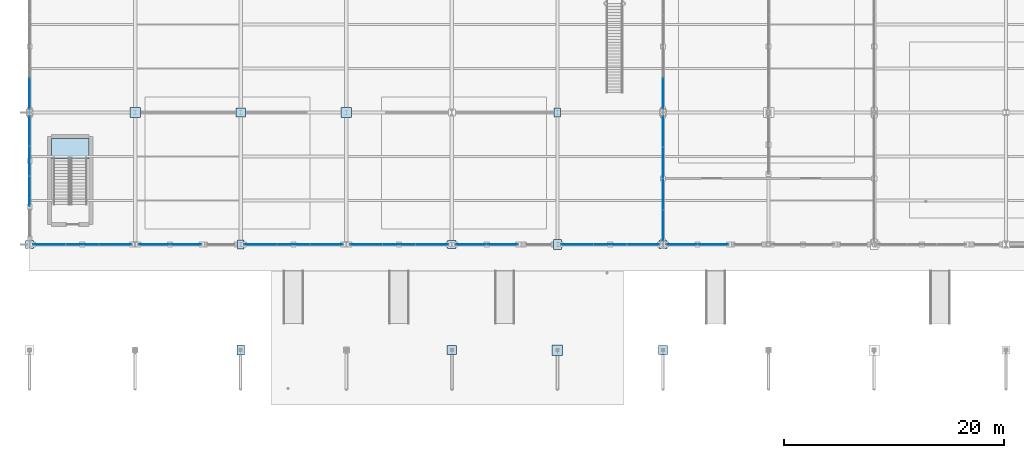
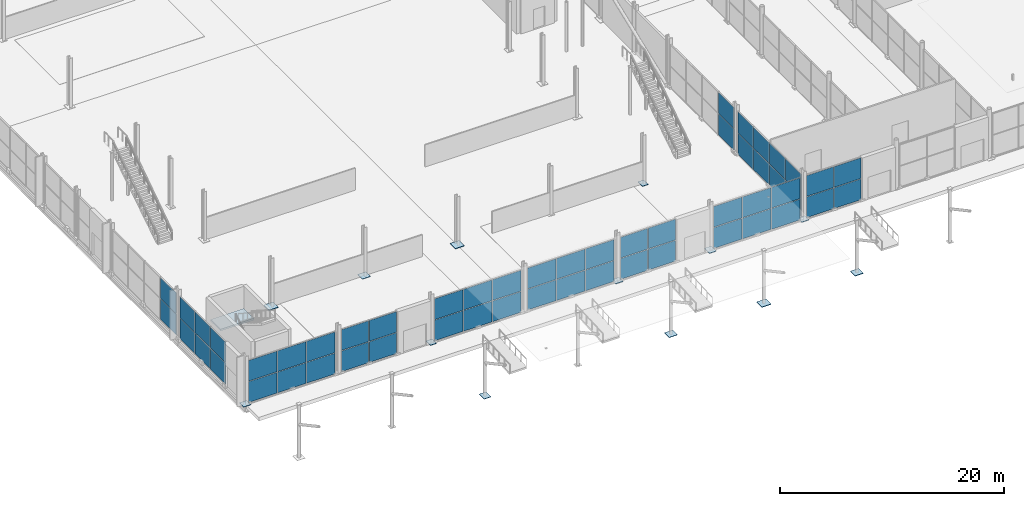
# One storey, part 145 of 196: 67 plates, 1 slab, 12 elements without a shape of their own.
"""IFC4 building model written with IfcOpenShell, lengths in metres."""

from ifc_helpers import new_model, si_unit, direction, frame, origin, origin_2d, place, context, subcontext, project, spatial, polyline, rectangle, outline, extrude, material, layer, layer_set, type_object, element, aggregate, save


model = new_model("IFC4")

# Units and contexts
model_context = context("Model", 3, precision=1e-05, world=origin(), true_north=direction((0.0, 1.0)))
body_context = subcontext(model_context, "Body", "Model", "MODEL_VIEW")
ifc_project = project(units=[si_unit("LENGTHUNIT", "METRE"), si_unit("AREAUNIT", "SQUARE_METRE"), si_unit("VOLUMEUNIT", "CUBIC_METRE"), si_unit("PLANEANGLEUNIT", "RADIAN"), si_unit("MASSUNIT", "GRAM", prefix="KILO")], contexts=[model_context])

# Site, building, storey
site_placement = place(None, origin())
site = spatial("IfcSite", under=ifc_project, at=site_placement, CompositionType="ELEMENT")
building_placement = place(site_placement, origin())
building = spatial("IfcBuilding", under=site, at=building_placement, Name="Merenkruunu Market Hall", CompositionType="ELEMENT")
storey_placement = place(building_placement, origin())
storey = spatial("IfcBuildingStorey", under=building, at=storey_placement, Name="L00", CompositionType="ELEMENT", Elevation=0.0)

# Plates
ifc_material_1 = material(Name="Steel S355ML", Category="steel")
ifc_layer_1 = layer(ifc_material_1, 0.044921875)
ifc_layer_set_1 = layer_set([ifc_layer_1], Name="Steel S355ML")
plate_type_1 = type_object("IfcPlateType", Name="Column Base Plate BP01", PredefinedType="USERDEFINED", material=ifc_layer_set_1)
for number, where, z_axis, x_axis, name in (
    (1, (19.199951171875, 27.60009765625, 0.0), (0.0, 0.0, 1.0), (1.0, 0.0, 0.0), "PLT-BP-C-04"),
    (2, (38.39990234375, 6.0, 0.0), (0.0, 0.0, 1.0), (1.0, 0.0, 0.0), "PLT-BP-E-02"),
    (3, (57.60009765625, 6.0, 0.0), (0.0, 0.0, 1.0), (1.0, 0.0, 0.0), "PLT-BP-G-02"),
):
    element("IfcPlate", number, at=place(storey_placement, frame(where, z_axis=z_axis, x_axis=x_axis)), inside=storey, type_object=plate_type_1, Name=name, ObjectType="BASE_PLATE", PredefinedType="USERDEFINED", context=body_context, shape_type="SweptSolid", body=[
        extrude(rectangle(XDim=0.85009765625, YDim=0.85009765625, at=origin_2d()), origin(), (0.0, 0.0, 1.0), 0.044921875),
    ])
ifc_layer_2 = layer(ifc_material_1, 0.0400390625)
ifc_layer_set_2 = layer_set([ifc_layer_2], Name="Steel S355ML")
plate_type_2 = type_object("IfcPlateType", Name="Column Base Plate BP02", PredefinedType="USERDEFINED", material=ifc_layer_set_2)
for number, where, z_axis, x_axis, name in (
    (4, (0.0, 15.60009765625, 0.0), (0.0, 0.0, 1.0), (1.0, 0.0, 0.0), "PLT-BP-A-03"),
    (5, (38.39990234375, 15.60009765625, 0.0), (0.0, 0.0, 1.0), (1.0, 0.0, 0.0), "PLT-BP-E-03"),
    (6, (57.60009765625, 15.60009765625, 0.0), (0.0, 0.0, 1.0), (1.0, 0.0, 0.0), "PLT-BP-G-03"),
):
    element("IfcPlate", number, at=place(storey_placement, frame(where, z_axis=z_axis, x_axis=x_axis)), inside=storey, type_object=plate_type_2, Name=name, ObjectType="BASE_PLATE", PredefinedType="USERDEFINED", context=body_context, shape_type="SweptSolid", body=[
        extrude(rectangle(XDim=0.75, YDim=0.75, at=origin_2d()), origin(), (0.0, 0.0, 1.0), 0.0400390625),
    ])
ifc_layer_3 = layer(ifc_material_1, 0.050048828125)
ifc_layer_set_3 = layer_set([ifc_layer_3], Name="Steel S355ML")
plate_type_3 = type_object("IfcPlateType", Name="Column Base Plate BP06", PredefinedType="USERDEFINED", material=ifc_layer_set_3)
for number, where, z_axis, x_axis, name in (
    (7, (9.60009765625, 27.60009765625, 0.0), (0.0, 0.0, 1.0), (1.0, 0.0, 0.0), "PLT-BP-B-04"),
    (8, (28.800048828125, 27.60009765625, 0.0), (0.0, 0.0, 1.0), (1.0, 0.0, 0.0), "PLT-BP-D-04"),
    (9, (48.0, 6.0, 0.0), (0.0, 0.0, 1.0), (1.0, 0.0, 0.0), "PLT-BP-F-02"),
):
    element("IfcPlate", number, at=place(storey_placement, frame(where, z_axis=z_axis, x_axis=x_axis)), inside=storey, type_object=plate_type_3, Name=name, ObjectType="BASE_PLATE", PredefinedType="USERDEFINED", context=body_context, shape_type="SweptSolid", body=[
        extrude(rectangle(XDim=0.949951171875, YDim=0.949951171875, at=origin_2d()), origin(), (0.0, 0.0, 1.0), 0.050048828125),
    ])
ifc_layer_4 = layer(ifc_material_1, 0.0419921875)
ifc_layer_set_4 = layer_set([ifc_layer_4], Name="Steel S355ML")
plate_type_4 = type_object("IfcPlateType", Name="Column Base Plate BP07", PredefinedType="USERDEFINED", material=ifc_layer_set_4)
for number, where, z_axis, x_axis, name in (
    (10, (19.199951171875, 6.0, 0.0), (0.0, 0.0, 1.0), (1.0, 0.0, 0.0), "PLT-BP-C-02"),
    (11, (48.0, 15.60009765625, 0.0), (0.0, 0.0, 1.0), (1.0, 0.0, 0.0), "PLT-BP-F-03"),
):
    element("IfcPlate", number, at=place(storey_placement, frame(where, z_axis=z_axis, x_axis=x_axis)), inside=storey, type_object=plate_type_4, Name=name, ObjectType="BASE_PLATE", PredefinedType="USERDEFINED", context=body_context, shape_type="SweptSolid", body=[
        extrude(rectangle(XDim=0.699951171875, YDim=0.89990234375, at=origin_2d()), origin(), (0.0, 0.0, 1.0), 0.0419921875),
    ])
ifc_layer_5 = layer(ifc_material_1, 0.0380859375)
ifc_layer_set_5 = layer_set([ifc_layer_5], Name="Steel S355ML")
plate_type_5 = type_object("IfcPlateType", Name="Column Base Plate BP08", PredefinedType="USERDEFINED", material=ifc_layer_set_5)
for number, where, z_axis, x_axis, name in (
    (12, (19.199951171875, 15.60009765625, 0.0), (0.0, 0.0, 1.0), (1.0, 0.0, 0.0), "PLT-BP-C-03"),
    (13, (48.0, 27.60009765625, 0.0), (0.0, 0.0, 1.0), (1.0, 0.0, 0.0), "PLT-BP-F-04"),
):
    element("IfcPlate", number, at=place(storey_placement, frame(where, z_axis=z_axis, x_axis=x_axis)), inside=storey, type_object=plate_type_5, Name=name, ObjectType="BASE_PLATE", PredefinedType="USERDEFINED", context=body_context, shape_type="SweptSolid", body=[
        extrude(rectangle(XDim=0.60009765625, YDim=0.800048828125, at=origin_2d()), origin(), (0.0, 0.0, 1.0), 0.0380859375),
    ])

# Curtain wall, plates
ifc_material_2 = material(Name="Powder-coated aluminium", Category="aluminium")
curtain_wall_type_1 = type_object("IfcCurtainWallType", Name="Glazed Curtain Wall CW01", PredefinedType="USERDEFINED", material=ifc_material_2)
curtain_wall_1_placement = place(storey_placement, origin())
curtain_wall_1 = element("IfcCurtainWall", 14, at=curtain_wall_1_placement, inside=storey, type_object=curtain_wall_type_1, Name="CW-L00-CWM01-001", ObjectType="GLAZED_FACADE", PredefinedType="USERDEFINED")
ifc_material_3 = material(Name="Triple low-E insulated glass", Category="glass")
ifc_layer_6 = layer(ifc_material_3, 0.035888671875)
ifc_layer_set_6 = layer_set([ifc_layer_6], Name="Triple low-E insulated glass")
plate_type_6 = type_object("IfcPlateType", Name="Curtain Wall Glazing Panel CWP01", PredefinedType="CURTAIN_PANEL", material=ifc_layer_set_6)
plate_1_placement = place(storey_placement, frame((0.0, 20.443359375, 0.06005859375), z_axis=(0.0, 0.0, 1.0), x_axis=(0.0, 1.0, 0.0)))
plate_1 = element("IfcPlate", 15, at=plate_1_placement, type_object=plate_type_6, Name="CW01 panel 1.1", PredefinedType="CURTAIN_PANEL", context=body_context, shape_type="SweptSolid", body=[
    extrude(rectangle(XDim=2.666748046875, YDim=0.035888671875, at=origin_2d()), origin(), (0.0, 0.0, 1.0), 2.260009765625),
])
plate_2_placement = place(storey_placement, frame((0.0, 20.443359375, 2.3798828125), z_axis=(0.0, 0.0, 1.0), x_axis=(0.0, 1.0, 0.0)))
plate_2 = element("IfcPlate", 16, at=plate_2_placement, type_object=plate_type_6, Name="CW01 panel 1.2", PredefinedType="CURTAIN_PANEL", context=body_context, shape_type="SweptSolid", body=[
    extrude(rectangle(XDim=2.666748046875, YDim=0.035888671875, at=origin_2d()), origin(), (0.0, 0.0, 1.0), 2.260009765625),
])
plate_3_placement = place(storey_placement, frame((0.0, 23.18505859375, 0.06005859375), z_axis=(0.0, 0.0, 1.0), x_axis=(0.0, 1.0, 0.0)))
plate_3 = element("IfcPlate", 17, at=plate_3_placement, type_object=plate_type_6, Name="CW01 panel 2.1", PredefinedType="CURTAIN_PANEL", context=body_context, shape_type="SweptSolid", body=[
    extrude(rectangle(XDim=2.69677734375, YDim=0.035888671875, at=origin_2d()), origin(), (0.0, 0.0, 1.0), 2.260009765625),
])
plate_4_placement = place(storey_placement, frame((0.0, 23.18505859375, 2.3798828125), z_axis=(0.0, 0.0, 1.0), x_axis=(0.0, 1.0, 0.0)))
plate_4 = element("IfcPlate", 18, at=plate_4_placement, type_object=plate_type_6, Name="CW01 panel 2.2", PredefinedType="CURTAIN_PANEL", context=body_context, shape_type="SweptSolid", body=[
    extrude(rectangle(XDim=2.69677734375, YDim=0.035888671875, at=origin_2d()), origin(), (0.0, 0.0, 1.0), 2.260009765625),
])
plate_5_placement = place(storey_placement, frame((0.0, 25.9267578125, 0.06005859375), z_axis=(0.0, 0.0, 1.0), x_axis=(0.0, 1.0, 0.0)))
plate_5 = element("IfcPlate", 19, at=plate_5_placement, type_object=plate_type_6, Name="CW01 panel 3.1", PredefinedType="CURTAIN_PANEL", context=body_context, shape_type="SweptSolid", body=[
    extrude(rectangle(XDim=2.666748046875, YDim=0.035888671875, at=origin_2d()), origin(), (0.0, 0.0, 1.0), 2.260009765625),
])
plate_6_placement = place(storey_placement, frame((0.0, 25.9267578125, 2.3798828125), z_axis=(0.0, 0.0, 1.0), x_axis=(0.0, 1.0, 0.0)))
plate_6 = element("IfcPlate", 20, at=plate_6_placement, type_object=plate_type_6, Name="CW01 panel 3.2", PredefinedType="CURTAIN_PANEL", context=body_context, shape_type="SweptSolid", body=[
    extrude(rectangle(XDim=2.666748046875, YDim=0.035888671875, at=origin_2d()), origin(), (0.0, 0.0, 1.0), 2.260009765625),
])
aggregate(curtain_wall_1, [plate_1, plate_2, plate_3, plate_4, plate_5, plate_6])

curtain_wall_type_2 = type_object("IfcCurtainWallType", Name="Glazed Curtain Wall CW04", PredefinedType="USERDEFINED", material=ifc_material_2)
curtain_wall_2_placement = place(storey_placement, origin())
curtain_wall_2 = element("IfcCurtainWall", 21, at=curtain_wall_2_placement, inside=storey, type_object=curtain_wall_type_2, Name="CW-L00-CWM01-004", ObjectType="GLAZED_FACADE", PredefinedType="USERDEFINED")
plate_7_placement = place(storey_placement, frame((0.0, 29.324951171875, 0.06005859375), z_axis=(0.0, 0.0, 1.0), x_axis=(0.0, 1.0, 0.0)))
plate_7 = element("IfcPlate", 22, at=plate_7_placement, type_object=plate_type_6, Name="CW04 panel 1.1", PredefinedType="CURTAIN_PANEL", context=body_context, shape_type="SweptSolid", body=[
    extrude(rectangle(XDim=2.77001953125, YDim=0.035888671875, at=origin_2d()), origin(), (0.0, 0.0, 1.0), 2.260009765625),
])
plate_8_placement = place(storey_placement, frame((0.0, 29.324951171875, 2.3798828125), z_axis=(0.0, 0.0, 1.0), x_axis=(0.0, 1.0, 0.0)))
plate_8 = element("IfcPlate", 23, at=plate_8_placement, type_object=plate_type_6, Name="CW04 panel 1.2", PredefinedType="CURTAIN_PANEL", context=body_context, shape_type="SweptSolid", body=[
    extrude(rectangle(XDim=2.77001953125, YDim=0.035888671875, at=origin_2d()), origin(), (0.0, 0.0, 1.0), 2.260009765625),
])
aggregate(curtain_wall_2, [plate_7, plate_8])

curtain_wall_3_placement = place(storey_placement, origin())
curtain_wall_3 = element("IfcCurtainWall", 24, at=curtain_wall_3_placement, inside=storey, type_object=curtain_wall_type_1, Name="CW-L00-CWM01-019", ObjectType="GLAZED_FACADE", PredefinedType="USERDEFINED")
plate_9_placement = place(storey_placement, frame((7.79833984375, 15.60009765625, 0.06005859375), z_axis=(0.0, 0.0, 1.0), x_axis=(-1.0, 0.0, 0.0)))
plate_9 = element("IfcPlate", 25, at=plate_9_placement, type_object=plate_type_6, Name="CW01 panel 1.1", PredefinedType="CURTAIN_PANEL", context=body_context, shape_type="SweptSolid", body=[
    extrude(rectangle(XDim=2.92333984375, YDim=0.035888671875, at=origin_2d()), origin(), (0.0, 0.0, 1.0), 2.260009765625),
])
plate_10_placement = place(storey_placement, frame((7.79833984375, 15.60009765625, 2.3798828125), z_axis=(0.0, 0.0, 1.0), x_axis=(-1.0, 0.0, 0.0)))
plate_10 = element("IfcPlate", 26, at=plate_10_placement, type_object=plate_type_6, Name="CW01 panel 1.2", PredefinedType="CURTAIN_PANEL", context=body_context, shape_type="SweptSolid", body=[
    extrude(rectangle(XDim=2.92333984375, YDim=0.035888671875, at=origin_2d()), origin(), (0.0, 0.0, 1.0), 2.260009765625),
])
plate_11_placement = place(storey_placement, frame((4.800048828125, 15.60009765625, 0.06005859375), z_axis=(0.0, 0.0, 1.0), x_axis=(-1.0, 0.0, 0.0)))
plate_11 = element("IfcPlate", 27, at=plate_11_placement, type_object=plate_type_6, Name="CW01 panel 2.1", PredefinedType="CURTAIN_PANEL", context=body_context, shape_type="SweptSolid", body=[
    extrude(rectangle(XDim=2.953369140625, YDim=0.035888671875, at=origin_2d()), origin(), (0.0, 0.0, 1.0), 2.260009765625),
])
plate_12_placement = place(storey_placement, frame((4.800048828125, 15.60009765625, 2.3798828125), z_axis=(0.0, 0.0, 1.0), x_axis=(-1.0, 0.0, 0.0)))
plate_12 = element("IfcPlate", 28, at=plate_12_placement, type_object=plate_type_6, Name="CW01 panel 2.2", PredefinedType="CURTAIN_PANEL", context=body_context, shape_type="SweptSolid", body=[
    extrude(rectangle(XDim=2.953369140625, YDim=0.035888671875, at=origin_2d()), origin(), (0.0, 0.0, 1.0), 2.260009765625),
])
plate_13_placement = place(storey_placement, frame((1.8017578125, 15.60009765625, 0.06005859375), z_axis=(0.0, 0.0, 1.0), x_axis=(-1.0, 0.0, 0.0)))
plate_13 = element("IfcPlate", 29, at=plate_13_placement, type_object=plate_type_6, Name="CW01 panel 3.1", PredefinedType="CURTAIN_PANEL", context=body_context, shape_type="SweptSolid", body=[
    extrude(rectangle(XDim=2.92333984375, YDim=0.035888671875, at=origin_2d()), origin(), (0.0, 0.0, 1.0), 2.260009765625),
])
plate_14_placement = place(storey_placement, frame((1.8017578125, 15.60009765625, 2.3798828125), z_axis=(0.0, 0.0, 1.0), x_axis=(-1.0, 0.0, 0.0)))
plate_14 = element("IfcPlate", 30, at=plate_14_placement, type_object=plate_type_6, Name="CW01 panel 3.2", PredefinedType="CURTAIN_PANEL", context=body_context, shape_type="SweptSolid", body=[
    extrude(rectangle(XDim=2.92333984375, YDim=0.035888671875, at=origin_2d()), origin(), (0.0, 0.0, 1.0), 2.260009765625),
])
aggregate(curtain_wall_3, [plate_9, plate_10, plate_11, plate_12, plate_13, plate_14])

curtain_wall_type_3 = type_object("IfcCurtainWallType", Name="Glazed Curtain Wall CW06", PredefinedType="USERDEFINED", material=ifc_material_2)
curtain_wall_4_placement = place(storey_placement, origin())
curtain_wall_4 = element("IfcCurtainWall", 31, at=curtain_wall_4_placement, inside=storey, type_object=curtain_wall_type_3, Name="CW-L00-CWM01-022", ObjectType="GLAZED_FACADE", PredefinedType="USERDEFINED")
plate_15_placement = place(storey_placement, frame((14.1923828125, 15.60009765625, 0.06005859375), z_axis=(0.0, 0.0, 1.0), x_axis=(-1.0, 0.0, 0.0)))
plate_15 = element("IfcPlate", 32, at=plate_15_placement, type_object=plate_type_6, Name="CW06 panel 1.1", PredefinedType="CURTAIN_PANEL", context=body_context, shape_type="SweptSolid", body=[
    extrude(rectangle(XDim=2.794921875, YDim=0.035888671875, at=origin_2d()), origin(), (0.0, 0.0, 1.0), 2.260009765625),
])
plate_16_placement = place(storey_placement, frame((14.1923828125, 15.60009765625, 2.3798828125), z_axis=(0.0, 0.0, 1.0), x_axis=(-1.0, 0.0, 0.0)))
plate_16 = element("IfcPlate", 33, at=plate_16_placement, type_object=plate_type_6, Name="CW06 panel 1.2", PredefinedType="CURTAIN_PANEL", context=body_context, shape_type="SweptSolid", body=[
    extrude(rectangle(XDim=2.794921875, YDim=0.035888671875, at=origin_2d()), origin(), (0.0, 0.0, 1.0), 2.260009765625),
])
plate_17_placement = place(storey_placement, frame((11.33740234375, 15.60009765625, 0.06005859375), z_axis=(0.0, 0.0, 1.0), x_axis=(-1.0, 0.0, 0.0)))
plate_17 = element("IfcPlate", 34, at=plate_17_placement, type_object=plate_type_6, Name="CW06 panel 2.1", PredefinedType="CURTAIN_PANEL", context=body_context, shape_type="SweptSolid", body=[
    extrude(rectangle(XDim=2.794921875, YDim=0.035888671875, at=origin_2d()), origin(), (0.0, 0.0, 1.0), 2.260009765625),
])
plate_18_placement = place(storey_placement, frame((11.33740234375, 15.60009765625, 2.3798828125), z_axis=(0.0, 0.0, 1.0), x_axis=(-1.0, 0.0, 0.0)))
plate_18 = element("IfcPlate", 35, at=plate_18_placement, type_object=plate_type_6, Name="CW06 panel 2.2", PredefinedType="CURTAIN_PANEL", context=body_context, shape_type="SweptSolid", body=[
    extrude(rectangle(XDim=2.794921875, YDim=0.035888671875, at=origin_2d()), origin(), (0.0, 0.0, 1.0), 2.260009765625),
])
aggregate(curtain_wall_4, [plate_15, plate_16, plate_17, plate_18])

curtain_wall_5_placement = place(storey_placement, origin())
curtain_wall_5 = element("IfcCurtainWall", 36, at=curtain_wall_5_placement, inside=storey, type_object=curtain_wall_type_1, Name="CW-L00-CWM01-025", ObjectType="GLAZED_FACADE", PredefinedType="USERDEFINED")
plate_19_placement = place(storey_placement, frame((26.998291015625, 15.60009765625, 0.06005859375), z_axis=(0.0, 0.0, 1.0), x_axis=(-1.0, 0.0, 0.0)))
plate_19 = element("IfcPlate", 37, at=plate_19_placement, type_object=plate_type_6, Name="CW01 panel 1.1", PredefinedType="CURTAIN_PANEL", context=body_context, shape_type="SweptSolid", body=[
    extrude(rectangle(XDim=2.92333984375, YDim=0.035888671875, at=origin_2d()), origin(), (0.0, 0.0, 1.0), 2.260009765625),
])
plate_20_placement = place(storey_placement, frame((26.998291015625, 15.60009765625, 2.3798828125), z_axis=(0.0, 0.0, 1.0), x_axis=(-1.0, 0.0, 0.0)))
plate_20 = element("IfcPlate", 38, at=plate_20_placement, type_object=plate_type_6, Name="CW01 panel 1.2", PredefinedType="CURTAIN_PANEL", context=body_context, shape_type="SweptSolid", body=[
    extrude(rectangle(XDim=2.92333984375, YDim=0.035888671875, at=origin_2d()), origin(), (0.0, 0.0, 1.0), 2.260009765625),
])
plate_21_placement = place(storey_placement, frame((24.0, 15.60009765625, 0.06005859375), z_axis=(0.0, 0.0, 1.0), x_axis=(-1.0, 0.0, 0.0)))
plate_21 = element("IfcPlate", 39, at=plate_21_placement, type_object=plate_type_6, Name="CW01 panel 2.1", PredefinedType="CURTAIN_PANEL", context=body_context, shape_type="SweptSolid", body=[
    extrude(rectangle(XDim=2.953369140625, YDim=0.035888671875, at=origin_2d()), origin(), (0.0, 0.0, 1.0), 2.260009765625),
])
plate_22_placement = place(storey_placement, frame((24.0, 15.60009765625, 2.3798828125), z_axis=(0.0, 0.0, 1.0), x_axis=(-1.0, 0.0, 0.0)))
plate_22 = element("IfcPlate", 40, at=plate_22_placement, type_object=plate_type_6, Name="CW01 panel 2.2", PredefinedType="CURTAIN_PANEL", context=body_context, shape_type="SweptSolid", body=[
    extrude(rectangle(XDim=2.953369140625, YDim=0.035888671875, at=origin_2d()), origin(), (0.0, 0.0, 1.0), 2.260009765625),
])
plate_23_placement = place(storey_placement, frame((21.001708984375, 15.60009765625, 0.06005859375), z_axis=(0.0, 0.0, 1.0), x_axis=(-1.0, 0.0, 0.0)))
plate_23 = element("IfcPlate", 41, at=plate_23_placement, type_object=plate_type_6, Name="CW01 panel 3.1", PredefinedType="CURTAIN_PANEL", context=body_context, shape_type="SweptSolid", body=[
    extrude(rectangle(XDim=2.92333984375, YDim=0.035888671875, at=origin_2d()), origin(), (0.0, 0.0, 1.0), 2.260009765625),
])
plate_24_placement = place(storey_placement, frame((21.001708984375, 15.60009765625, 2.3798828125), z_axis=(0.0, 0.0, 1.0), x_axis=(-1.0, 0.0, 0.0)))
plate_24 = element("IfcPlate", 42, at=plate_24_placement, type_object=plate_type_6, Name="CW01 panel 3.2", PredefinedType="CURTAIN_PANEL", context=body_context, shape_type="SweptSolid", body=[
    extrude(rectangle(XDim=2.92333984375, YDim=0.035888671875, at=origin_2d()), origin(), (0.0, 0.0, 1.0), 2.260009765625),
])
aggregate(curtain_wall_5, [plate_19, plate_20, plate_21, plate_22, plate_23, plate_24])

curtain_wall_6_placement = place(storey_placement, origin())
curtain_wall_6 = element("IfcCurtainWall", 43, at=curtain_wall_6_placement, inside=storey, type_object=curtain_wall_type_1, Name="CW-L00-CWM01-028", ObjectType="GLAZED_FACADE", PredefinedType="USERDEFINED")
plate_25_placement = place(storey_placement, frame((36.598388671875, 15.60009765625, 0.06005859375), z_axis=(0.0, 0.0, 1.0), x_axis=(-1.0, 0.0, 0.0)))
plate_25 = element("IfcPlate", 44, at=plate_25_placement, type_object=plate_type_6, Name="CW01 panel 1.1", PredefinedType="CURTAIN_PANEL", context=body_context, shape_type="SweptSolid", body=[
    extrude(rectangle(XDim=2.92333984375, YDim=0.035888671875, at=origin_2d()), origin(), (0.0, 0.0, 1.0), 2.260009765625),
])
plate_26_placement = place(storey_placement, frame((36.598388671875, 15.60009765625, 2.3798828125), z_axis=(0.0, 0.0, 1.0), x_axis=(-1.0, 0.0, 0.0)))
plate_26 = element("IfcPlate", 45, at=plate_26_placement, type_object=plate_type_6, Name="CW01 panel 1.2", PredefinedType="CURTAIN_PANEL", context=body_context, shape_type="SweptSolid", body=[
    extrude(rectangle(XDim=2.92333984375, YDim=0.035888671875, at=origin_2d()), origin(), (0.0, 0.0, 1.0), 2.260009765625),
])
plate_27_placement = place(storey_placement, frame((33.60009765625, 15.60009765625, 0.06005859375), z_axis=(0.0, 0.0, 1.0), x_axis=(-1.0, 0.0, 0.0)))
plate_27 = element("IfcPlate", 46, at=plate_27_placement, type_object=plate_type_6, Name="CW01 panel 2.1", PredefinedType="CURTAIN_PANEL", context=body_context, shape_type="SweptSolid", body=[
    extrude(rectangle(XDim=2.953369140625, YDim=0.035888671875, at=origin_2d()), origin(), (0.0, 0.0, 1.0), 2.260009765625),
])
plate_28_placement = place(storey_placement, frame((33.60009765625, 15.60009765625, 2.3798828125), z_axis=(0.0, 0.0, 1.0), x_axis=(-1.0, 0.0, 0.0)))
plate_28 = element("IfcPlate", 47, at=plate_28_placement, type_object=plate_type_6, Name="CW01 panel 2.2", PredefinedType="CURTAIN_PANEL", context=body_context, shape_type="SweptSolid", body=[
    extrude(rectangle(XDim=2.953369140625, YDim=0.035888671875, at=origin_2d()), origin(), (0.0, 0.0, 1.0), 2.260009765625),
])
plate_29_placement = place(storey_placement, frame((30.6015625, 15.60009765625, 0.06005859375), z_axis=(0.0, 0.0, 1.0), x_axis=(-1.0, 0.0, 0.0)))
plate_29 = element("IfcPlate", 48, at=plate_29_placement, type_object=plate_type_6, Name="CW01 panel 3.1", PredefinedType="CURTAIN_PANEL", context=body_context, shape_type="SweptSolid", body=[
    extrude(rectangle(XDim=2.92333984375, YDim=0.035888671875, at=origin_2d()), origin(), (0.0, 0.0, 1.0), 2.260009765625),
])
plate_30_placement = place(storey_placement, frame((30.6015625, 15.60009765625, 2.3798828125), z_axis=(0.0, 0.0, 1.0), x_axis=(-1.0, 0.0, 0.0)))
plate_30 = element("IfcPlate", 49, at=plate_30_placement, type_object=plate_type_6, Name="CW01 panel 3.2", PredefinedType="CURTAIN_PANEL", context=body_context, shape_type="SweptSolid", body=[
    extrude(rectangle(XDim=2.92333984375, YDim=0.035888671875, at=origin_2d()), origin(), (0.0, 0.0, 1.0), 2.260009765625),
])
aggregate(curtain_wall_6, [plate_25, plate_26, plate_27, plate_28, plate_29, plate_30])

curtain_wall_7_placement = place(storey_placement, origin())
curtain_wall_7 = element("IfcCurtainWall", 50, at=curtain_wall_7_placement, inside=storey, type_object=curtain_wall_type_3, Name="CW-L00-CWM01-031", ObjectType="GLAZED_FACADE", PredefinedType="USERDEFINED")
plate_31_placement = place(storey_placement, frame((42.992431640625, 15.60009765625, 0.06005859375), z_axis=(0.0, 0.0, 1.0), x_axis=(-1.0, 0.0, 0.0)))
plate_31 = element("IfcPlate", 51, at=plate_31_placement, type_object=plate_type_6, Name="CW06 panel 1.1", PredefinedType="CURTAIN_PANEL", context=body_context, shape_type="SweptSolid", body=[
    extrude(rectangle(XDim=2.794921875, YDim=0.035888671875, at=origin_2d()), origin(), (0.0, 0.0, 1.0), 2.260009765625),
])
plate_32_placement = place(storey_placement, frame((42.992431640625, 15.60009765625, 2.3798828125), z_axis=(0.0, 0.0, 1.0), x_axis=(-1.0, 0.0, 0.0)))
plate_32 = element("IfcPlate", 52, at=plate_32_placement, type_object=plate_type_6, Name="CW06 panel 1.2", PredefinedType="CURTAIN_PANEL", context=body_context, shape_type="SweptSolid", body=[
    extrude(rectangle(XDim=2.794921875, YDim=0.035888671875, at=origin_2d()), origin(), (0.0, 0.0, 1.0), 2.260009765625),
])
plate_33_placement = place(storey_placement, frame((40.137451171875, 15.60009765625, 0.06005859375), z_axis=(0.0, 0.0, 1.0), x_axis=(-1.0, 0.0, 0.0)))
plate_33 = element("IfcPlate", 53, at=plate_33_placement, type_object=plate_type_6, Name="CW06 panel 2.1", PredefinedType="CURTAIN_PANEL", context=body_context, shape_type="SweptSolid", body=[
    extrude(rectangle(XDim=2.794921875, YDim=0.035888671875, at=origin_2d()), origin(), (0.0, 0.0, 1.0), 2.260009765625),
])
plate_34_placement = place(storey_placement, frame((40.137451171875, 15.60009765625, 2.3798828125), z_axis=(0.0, 0.0, 1.0), x_axis=(-1.0, 0.0, 0.0)))
plate_34 = element("IfcPlate", 54, at=plate_34_placement, type_object=plate_type_6, Name="CW06 panel 2.2", PredefinedType="CURTAIN_PANEL", context=body_context, shape_type="SweptSolid", body=[
    extrude(rectangle(XDim=2.794921875, YDim=0.035888671875, at=origin_2d()), origin(), (0.0, 0.0, 1.0), 2.260009765625),
])
aggregate(curtain_wall_7, [plate_31, plate_32, plate_33, plate_34])

curtain_wall_8_placement = place(storey_placement, origin())
curtain_wall_8 = element("IfcCurtainWall", 55, at=curtain_wall_8_placement, inside=storey, type_object=curtain_wall_type_1, Name="CW-L00-CWM01-034", ObjectType="GLAZED_FACADE", PredefinedType="USERDEFINED")
plate_35_placement = place(storey_placement, frame((55.79833984375, 15.60009765625, 0.06005859375), z_axis=(0.0, 0.0, 1.0), x_axis=(-1.0, 0.0, 0.0)))
plate_35 = element("IfcPlate", 56, at=plate_35_placement, type_object=plate_type_6, Name="CW01 panel 1.1", PredefinedType="CURTAIN_PANEL", context=body_context, shape_type="SweptSolid", body=[
    extrude(rectangle(XDim=2.92333984375, YDim=0.035888671875, at=origin_2d()), origin(), (0.0, 0.0, 1.0), 2.260009765625),
])
plate_36_placement = place(storey_placement, frame((55.79833984375, 15.60009765625, 2.3798828125), z_axis=(0.0, 0.0, 1.0), x_axis=(-1.0, 0.0, 0.0)))
plate_36 = element("IfcPlate", 57, at=plate_36_placement, type_object=plate_type_6, Name="CW01 panel 1.2", PredefinedType="CURTAIN_PANEL", context=body_context, shape_type="SweptSolid", body=[
    extrude(rectangle(XDim=2.92333984375, YDim=0.035888671875, at=origin_2d()), origin(), (0.0, 0.0, 1.0), 2.260009765625),
])
plate_37_placement = place(storey_placement, frame((52.800048828125, 15.60009765625, 0.06005859375), z_axis=(0.0, 0.0, 1.0), x_axis=(-1.0, 0.0, 0.0)))
plate_37 = element("IfcPlate", 58, at=plate_37_placement, type_object=plate_type_6, Name="CW01 panel 2.1", PredefinedType="CURTAIN_PANEL", context=body_context, shape_type="SweptSolid", body=[
    extrude(rectangle(XDim=2.953369140625, YDim=0.035888671875, at=origin_2d()), origin(), (0.0, 0.0, 1.0), 2.260009765625),
])
plate_38_placement = place(storey_placement, frame((52.800048828125, 15.60009765625, 2.3798828125), z_axis=(0.0, 0.0, 1.0), x_axis=(-1.0, 0.0, 0.0)))
plate_38 = element("IfcPlate", 59, at=plate_38_placement, type_object=plate_type_6, Name="CW01 panel 2.2", PredefinedType="CURTAIN_PANEL", context=body_context, shape_type="SweptSolid", body=[
    extrude(rectangle(XDim=2.953369140625, YDim=0.035888671875, at=origin_2d()), origin(), (0.0, 0.0, 1.0), 2.260009765625),
])
plate_39_placement = place(storey_placement, frame((49.8017578125, 15.60009765625, 0.06005859375), z_axis=(0.0, 0.0, 1.0), x_axis=(-1.0, 0.0, 0.0)))
plate_39 = element("IfcPlate", 60, at=plate_39_placement, type_object=plate_type_6, Name="CW01 panel 3.1", PredefinedType="CURTAIN_PANEL", context=body_context, shape_type="SweptSolid", body=[
    extrude(rectangle(XDim=2.92333984375, YDim=0.035888671875, at=origin_2d()), origin(), (0.0, 0.0, 1.0), 2.260009765625),
])
plate_40_placement = place(storey_placement, frame((49.8017578125, 15.60009765625, 2.3798828125), z_axis=(0.0, 0.0, 1.0), x_axis=(-1.0, 0.0, 0.0)))
plate_40 = element("IfcPlate", 61, at=plate_40_placement, type_object=plate_type_6, Name="CW01 panel 3.2", PredefinedType="CURTAIN_PANEL", context=body_context, shape_type="SweptSolid", body=[
    extrude(rectangle(XDim=2.92333984375, YDim=0.035888671875, at=origin_2d()), origin(), (0.0, 0.0, 1.0), 2.260009765625),
])
aggregate(curtain_wall_8, [plate_35, plate_36, plate_37, plate_38, plate_39, plate_40])

curtain_wall_9_placement = place(storey_placement, origin())
curtain_wall_9 = element("IfcCurtainWall", 62, at=curtain_wall_9_placement, inside=storey, type_object=curtain_wall_type_3, Name="CW-L00-CWM01-139", ObjectType="GLAZED_FACADE", PredefinedType="USERDEFINED")
plate_41_placement = place(storey_placement, frame((62.155029296875, 15.60009765625, 0.06005859375), z_axis=(0.0, 0.0, 1.0), x_axis=(-1.0, 0.0, 0.0)))
plate_41 = element("IfcPlate", 63, at=plate_41_placement, type_object=plate_type_6, Name="CW06 panel 1.1", PredefinedType="CURTAIN_PANEL", context=body_context, shape_type="SweptSolid", body=[
    extrude(rectangle(XDim=2.77001953125, YDim=0.035888671875, at=origin_2d()), origin(), (0.0, 0.0, 1.0), 2.260009765625),
])
plate_42_placement = place(storey_placement, frame((62.155029296875, 15.60009765625, 2.3798828125), z_axis=(0.0, 0.0, 1.0), x_axis=(-1.0, 0.0, 0.0)))
plate_42 = element("IfcPlate", 64, at=plate_42_placement, type_object=plate_type_6, Name="CW06 panel 1.2", PredefinedType="CURTAIN_PANEL", context=body_context, shape_type="SweptSolid", body=[
    extrude(rectangle(XDim=2.77001953125, YDim=0.035888671875, at=origin_2d()), origin(), (0.0, 0.0, 1.0), 2.260009765625),
])
plate_43_placement = place(storey_placement, frame((59.324951171875, 15.60009765625, 0.06005859375), z_axis=(0.0, 0.0, 1.0), x_axis=(-1.0, 0.0, 0.0)))
plate_43 = element("IfcPlate", 65, at=plate_43_placement, type_object=plate_type_6, Name="CW06 panel 2.1", PredefinedType="CURTAIN_PANEL", context=body_context, shape_type="SweptSolid", body=[
    extrude(rectangle(XDim=2.77001953125, YDim=0.035888671875, at=origin_2d()), origin(), (0.0, 0.0, 1.0), 2.260009765625),
])
plate_44_placement = place(storey_placement, frame((59.324951171875, 15.60009765625, 2.3798828125), z_axis=(0.0, 0.0, 1.0), x_axis=(-1.0, 0.0, 0.0)))
plate_44 = element("IfcPlate", 66, at=plate_44_placement, type_object=plate_type_6, Name="CW06 panel 2.2", PredefinedType="CURTAIN_PANEL", context=body_context, shape_type="SweptSolid", body=[
    extrude(rectangle(XDim=2.77001953125, YDim=0.035888671875, at=origin_2d()), origin(), (0.0, 0.0, 1.0), 2.260009765625),
])
aggregate(curtain_wall_9, [plate_41, plate_42, plate_43, plate_44])

curtain_wall_type_4 = type_object("IfcCurtainWallType", Name="Glazed Curtain Wall CW02", PredefinedType="USERDEFINED", material=ifc_material_2)
curtain_wall_10_placement = place(storey_placement, origin())
curtain_wall_10 = element("IfcCurtainWall", 67, at=curtain_wall_10_placement, inside=storey, type_object=curtain_wall_type_4, Name="CW-L00-CWM01-121", ObjectType="GLAZED_FACADE", PredefinedType="USERDEFINED")
ifc_layer_7 = layer(ifc_material_3, 0.0380859375)
ifc_layer_set_7 = layer_set([ifc_layer_7], Name="Triple low-E insulated glass")
plate_type_7 = type_object("IfcPlateType", Name="Curtain Wall Glazing Panel CWP03", PredefinedType="CURTAIN_PANEL", material=ifc_layer_set_7)
plate_45_placement = place(storey_placement, frame((57.60009765625, 17.324951171875, 0.06005859375), z_axis=(0.0, 0.0, 1.0), x_axis=(0.0, 1.0, 0.0)))
plate_45 = element("IfcPlate", 68, at=plate_45_placement, type_object=plate_type_7, Name="CW02 panel 1.1", PredefinedType="CURTAIN_PANEL", context=body_context, shape_type="SweptSolid", body=[
    extrude(rectangle(XDim=2.77001953125, YDim=0.0380859375, at=origin_2d()), origin(), (0.0, 0.0, 1.0), 2.284912109375),
])
plate_46_placement = place(storey_placement, frame((57.60009765625, 17.324951171875, 2.4052734375), z_axis=(0.0, 0.0, 1.0), x_axis=(0.0, 1.0, 0.0)))
plate_46 = element("IfcPlate", 69, at=plate_46_placement, type_object=plate_type_7, Name="CW02 panel 1.2", PredefinedType="CURTAIN_PANEL", context=body_context, shape_type="SweptSolid", body=[
    extrude(rectangle(XDim=2.77001953125, YDim=0.0380859375, at=origin_2d()), origin(), (0.0, 0.0, 1.0), 2.284912109375),
])
plate_47_placement = place(storey_placement, frame((57.60009765625, 20.169921875, 0.06005859375), z_axis=(0.0, 0.0, 1.0), x_axis=(0.0, 1.0, 0.0)))
plate_47 = element("IfcPlate", 70, at=plate_47_placement, type_object=plate_type_7, Name="CW02 panel 2.1", PredefinedType="CURTAIN_PANEL", context=body_context, shape_type="SweptSolid", body=[
    extrude(rectangle(XDim=2.800048828125, YDim=0.0380859375, at=origin_2d()), origin(), (0.0, 0.0, 1.0), 2.284912109375),
])
plate_48_placement = place(storey_placement, frame((57.60009765625, 20.169921875, 2.4052734375), z_axis=(0.0, 0.0, 1.0), x_axis=(0.0, 1.0, 0.0)))
plate_48 = element("IfcPlate", 71, at=plate_48_placement, type_object=plate_type_7, Name="CW02 panel 2.2", PredefinedType="CURTAIN_PANEL", context=body_context, shape_type="SweptSolid", body=[
    extrude(rectangle(XDim=2.800048828125, YDim=0.0380859375, at=origin_2d()), origin(), (0.0, 0.0, 1.0), 2.284912109375),
])
plate_49_placement = place(storey_placement, frame((57.60009765625, 23.030029296875, 0.06005859375), z_axis=(0.0, 0.0, 1.0), x_axis=(0.0, 1.0, 0.0)))
plate_49 = element("IfcPlate", 72, at=plate_49_placement, type_object=plate_type_7, Name="CW02 panel 3.1", PredefinedType="CURTAIN_PANEL", context=body_context, shape_type="SweptSolid", body=[
    extrude(rectangle(XDim=2.800048828125, YDim=0.0380859375, at=origin_2d()), origin(), (0.0, 0.0, 1.0), 2.284912109375),
])
plate_50_placement = place(storey_placement, frame((57.60009765625, 23.030029296875, 2.4052734375), z_axis=(0.0, 0.0, 1.0), x_axis=(0.0, 1.0, 0.0)))
plate_50 = element("IfcPlate", 73, at=plate_50_placement, type_object=plate_type_7, Name="CW02 panel 3.2", PredefinedType="CURTAIN_PANEL", context=body_context, shape_type="SweptSolid", body=[
    extrude(rectangle(XDim=2.800048828125, YDim=0.0380859375, at=origin_2d()), origin(), (0.0, 0.0, 1.0), 2.284912109375),
])
plate_51_placement = place(storey_placement, frame((57.60009765625, 25.875, 0.06005859375), z_axis=(0.0, 0.0, 1.0), x_axis=(0.0, 1.0, 0.0)))
plate_51 = element("IfcPlate", 74, at=plate_51_placement, type_object=plate_type_7, Name="CW02 panel 4.1", PredefinedType="CURTAIN_PANEL", context=body_context, shape_type="SweptSolid", body=[
    extrude(rectangle(XDim=2.77001953125, YDim=0.0380859375, at=origin_2d()), origin(), (0.0, 0.0, 1.0), 2.284912109375),
])
plate_52_placement = place(storey_placement, frame((57.60009765625, 25.875, 2.4052734375), z_axis=(0.0, 0.0, 1.0), x_axis=(0.0, 1.0, 0.0)))
plate_52 = element("IfcPlate", 75, at=plate_52_placement, type_object=plate_type_7, Name="CW02 panel 4.2", PredefinedType="CURTAIN_PANEL", context=body_context, shape_type="SweptSolid", body=[
    extrude(rectangle(XDim=2.77001953125, YDim=0.0380859375, at=origin_2d()), origin(), (0.0, 0.0, 1.0), 2.284912109375),
])
aggregate(curtain_wall_10, [plate_45, plate_46, plate_47, plate_48, plate_49, plate_50, plate_51, plate_52])

curtain_wall_11_placement = place(storey_placement, origin())
curtain_wall_11 = element("IfcCurtainWall", 76, at=curtain_wall_11_placement, inside=storey, type_object=curtain_wall_type_4, Name="CW-L00-CWM01-124", ObjectType="GLAZED_FACADE", PredefinedType="USERDEFINED")
plate_53_placement = place(storey_placement, frame((57.60009765625, 29.324951171875, 0.06005859375), z_axis=(0.0, 0.0, 1.0), x_axis=(0.0, 1.0, 0.0)))
plate_53 = element("IfcPlate", 77, at=plate_53_placement, type_object=plate_type_7, Name="CW02 panel 1.1", PredefinedType="CURTAIN_PANEL", context=body_context, shape_type="SweptSolid", body=[
    extrude(rectangle(XDim=2.77001953125, YDim=0.0380859375, at=origin_2d()), origin(), (0.0, 0.0, 1.0), 2.284912109375),
])
plate_54_placement = place(storey_placement, frame((57.60009765625, 29.324951171875, 2.4052734375), z_axis=(0.0, 0.0, 1.0), x_axis=(0.0, 1.0, 0.0)))
plate_54 = element("IfcPlate", 78, at=plate_54_placement, type_object=plate_type_7, Name="CW02 panel 1.2", PredefinedType="CURTAIN_PANEL", context=body_context, shape_type="SweptSolid", body=[
    extrude(rectangle(XDim=2.77001953125, YDim=0.0380859375, at=origin_2d()), origin(), (0.0, 0.0, 1.0), 2.284912109375),
])
aggregate(curtain_wall_11, [plate_53, plate_54])

# Stair, slab
ifc_material_4 = material(Name="Concrete C35/45", Category="concrete")
stair_type = type_object("IfcStairType", Name="Two Flight Half Turn Stair ST05", PredefinedType="TWO_STRAIGHT_RUN_STAIR", material=ifc_material_4)
stair_placement = place(storey_placement, origin())
stair = element("IfcStair", 79, at=stair_placement, inside=storey, type_object=stair_type, Name="Protected Stair ST03 (K2 L00-L01)", PredefinedType="TWO_STRAIGHT_RUN_STAIR")
ifc_layer_8 = layer(ifc_material_4, 0.18994140625)
ifc_layer_set_8 = layer_set([ifc_layer_8], Name="Concrete C35/45")
slab_type = type_object("IfcSlabType", Name="Stair Half Landing LS01", PredefinedType="LANDING", material=ifc_layer_set_8)
slab_placement = place(storey_placement, frame((0.0, 0.0, 2.510009765625)))
slab = element("IfcSlab", 80, at=slab_placement, type_object=slab_type, Name="ST03 landing 1", PredefinedType="LANDING", context=body_context, shape_type="SweptSolid", body=[
    extrude(outline(polyline([(1.985107421875, 23.43994140625), (5.4150390625, 23.43994140625), (5.4150390625, 25.215087890625), (1.985107421875, 25.215087890625), (1.985107421875, 23.43994140625)])), origin(), (0.0, 0.0, 1.0), 0.18994140625),
])
aggregate(stair, [slab])

save(model, "model.ifc")
